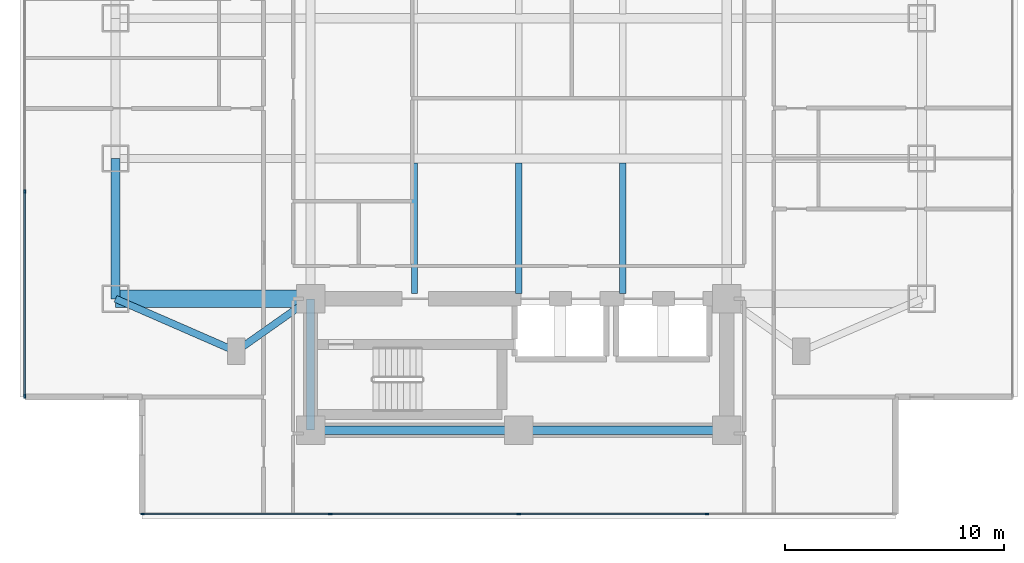
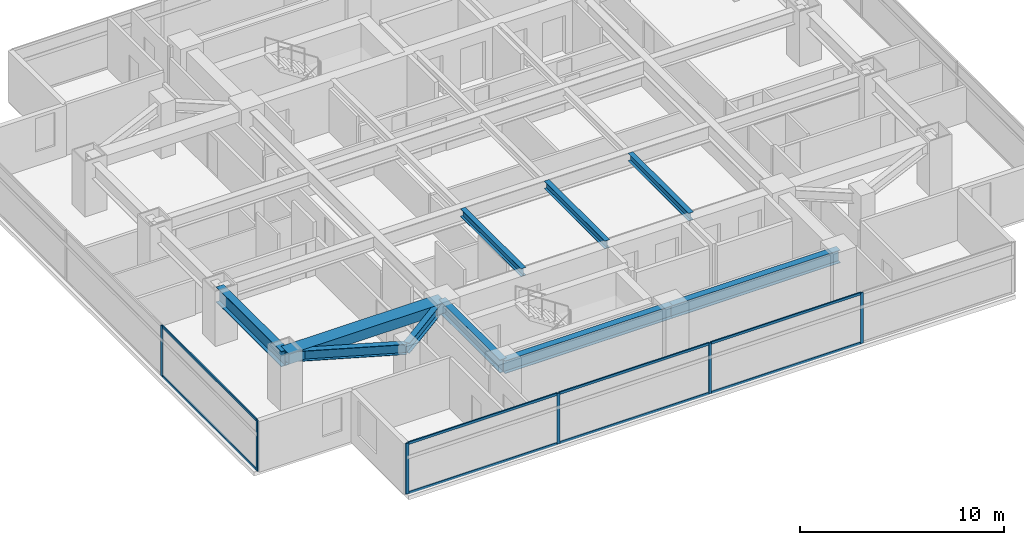
# One storey, part 2 of 27: 14 members, 10 beams, 2 elements without a shape of their own.
"""IFC4 building model written with IfcOpenShell, lengths in metres."""

from ifc_helpers import new_model, si_unit, direction, frame, origin, origin_2d, place, context, subcontext, project, spatial, rectangle, i_section, extrude, material, material_profile, profile_set, type_object, element, aggregate, save


model = new_model("IFC4")

# Units and contexts
model_context = context("Model", 3, precision=1e-05, world=origin(), true_north=direction((0.0, 1.0)))
body_context = subcontext(model_context, "Body", "Model", "MODEL_VIEW")
ifc_project = project(units=[si_unit("LENGTHUNIT", "METRE"), si_unit("AREAUNIT", "SQUARE_METRE"), si_unit("VOLUMEUNIT", "CUBIC_METRE"), si_unit("PLANEANGLEUNIT", "RADIAN"), si_unit("MASSUNIT", "GRAM", prefix="KILO")], contexts=[model_context])

# Site, building, storey
site_placement = place(None, origin())
site = spatial("IfcSite", under=ifc_project, at=site_placement, CompositionType="ELEMENT")
building_placement = place(site_placement, origin())
building = spatial("IfcBuilding", under=site, at=building_placement, Name="Mirazonda Arch Towers", CompositionType="ELEMENT")
storey_placement = place(building_placement, frame((0.0, 0.0, 75.199951171875)))
storey = spatial("IfcBuildingStorey", under=building, at=storey_placement, Name="L21", CompositionType="ELEMENT", Elevation=75.199951171875)

# Beams
ifc_material_1 = material(Name="Steel ASTM A992 Grade 50", Category="steel")
ifc_material_profile_1 = material_profile(ifc_material_1, i_section(OverallWidth=0.41796875, OverallDepth=0.927001953125, WebThickness=0.019287109375, FlangeThickness=0.031982421875, at=origin_2d()), Name="W36X231")
ifc_profile_set_1 = profile_set([ifc_material_profile_1], Name="Steel ASTM A992 Grade 50")
beam_type_1 = type_object("IfcBeamType", Name="BM-EXT-W36X231", PredefinedType="USERDEFINED", material=ifc_profile_set_1)
beam_1_placement = place(storey_placement, frame((2.10009765625, 18.39990234375, 2.596435546875), z_axis=(0.0, 1.0, 0.0), x_axis=(-1.0, 0.0, 0.0)))
element("IfcBeam", 1, at=beam_1_placement, inside=storey, type_object=beam_type_1, Name="L21 Floor Beam BM-T1-L21-NS-W-18", ObjectType="GIRDER", PredefinedType="USERDEFINED", context=body_context, shape_type="SweptSolid", body=[
    extrude(i_section(OverallWidth=0.41796875, OverallDepth=0.927001953125, WebThickness=0.019287109375, FlangeThickness=0.031982421875, at=origin_2d()), origin(), (0.0, 0.0, 1.0), 6.400146484375),
])
ifc_material_profile_2 = material_profile(ifc_material_1, i_section(OverallWidth=0.280029296875, OverallDepth=0.462890625, WebThickness=0.0107421875, FlangeThickness=0.017333984375, at=origin_2d()), Name="W18X76")
ifc_profile_set_2 = profile_set([ifc_material_profile_2], Name="Steel ASTM A992 Grade 50")
beam_type_2 = type_object("IfcBeamType", Name="BM-INT-W18X76", PredefinedType="JOIST", material=ifc_profile_set_2)
for number, where, z_axis, x_axis, name in (
    (2, (15.75, 18.639892578125, 2.82861328125), (0.0, 1.0, 0.0), (-1.0, 0.0, 0.0), "L21 Floor Beam BM-T1-L21-J-157-18"),
    (3, (20.5, 18.639892578125, 2.82861328125), (0.0, 1.0, 0.0), (-1.0, 0.0, 0.0), "L21 Floor Beam BM-T1-L21-J-205-18"),
    (4, (25.25, 18.639892578125, 2.82861328125), (0.0, 1.0, 0.0), (-1.0, 0.0, 0.0), "L21 Floor Beam BM-T1-L21-J-252-18"),
):
    element("IfcBeam", number, at=place(storey_placement, frame(where, z_axis=z_axis, x_axis=x_axis)), inside=storey, type_object=beam_type_2, Name=name, PredefinedType="JOIST", context=body_context, shape_type="SweptSolid", body=[
        extrude(i_section(OverallWidth=0.280029296875, OverallDepth=0.462890625, WebThickness=0.0107421875, FlangeThickness=0.017333984375, at=origin_2d()), origin(), (0.0, 0.0, 1.0), 5.95263671875),
    ])
ifc_material_profile_3 = material_profile(ifc_material_1, i_section(OverallWidth=0.324951171875, OverallDepth=0.615966796875, WebThickness=0.013916015625, FlangeThickness=0.021484375, at=origin_2d()), Name="W24X117")
ifc_profile_set_3 = profile_set([ifc_material_profile_3], Name="Steel ASTM A992 Grade 50")
beam_type_3 = type_object("IfcBeamType", Name="BM-INT-W24X117", PredefinedType="BEAM", material=ifc_profile_set_3)
beam_2_placement = place(storey_placement, frame((7.60009765625, 16.0, 2.751953125), z_axis=(0.816971114901, 0.576678591087, 0.0), x_axis=(-0.576678591087, 0.816971114901, 0.0)))
element("IfcBeam", 5, at=beam_2_placement, inside=storey, type_object=beam_type_3, Name="L21 Floor Beam BM-T1-L21-PL-SW1", PredefinedType="BEAM", context=body_context, shape_type="SweptSolid", body=[
    extrude(i_section(OverallWidth=0.324951171875, OverallDepth=0.615966796875, WebThickness=0.013916015625, FlangeThickness=0.021484375, at=origin_2d()), origin(), (0.0, 0.0, 1.0), 4.16162109375),
])
beam_3_placement = place(storey_placement, frame((7.60009765625, 16.0, 2.751953125), z_axis=(-0.916545343703, 0.399930785183, 0.0), x_axis=(-0.399930785183, -0.916545343703, 0.0)))
element("IfcBeam", 6, at=beam_3_placement, inside=storey, type_object=beam_type_3, Name="L21 Floor Beam BM-T1-L21-PL-SW2", PredefinedType="BEAM", context=body_context, shape_type="SweptSolid", body=[
    extrude(i_section(OverallWidth=0.324951171875, OverallDepth=0.615966796875, WebThickness=0.013916015625, FlangeThickness=0.021484375, at=origin_2d()), origin(), (0.0, 0.0, 1.0), 6.000732421875),
])
ifc_material_profile_4 = material_profile(ifc_material_1, i_section(OverallWidth=0.381103515625, OverallDepth=0.77294921875, WebThickness=0.0166015625, FlangeThickness=0.027099609375, at=origin_2d()), Name="W30X173")
ifc_profile_set_4 = profile_set([ifc_material_profile_4], Name="Steel ASTM A992 Grade 50")
beam_type_4 = type_object("IfcBeamType", Name="BM-INT-W30X173", PredefinedType="USERDEFINED", material=ifc_profile_set_4)
for number, where, z_axis, x_axis, name in (
    (7, (11.0, 12.39990234375, 2.673583984375), (1.0, 0.0, 0.0), (0.0, 1.0, 0.0), "L21 Floor Beam BM-T1-L21-CS1"),
    (8, (20.5, 12.39990234375, 2.673583984375), (1.0, 0.0, 0.0), (0.0, 1.0, 0.0), "L21 Floor Beam BM-T1-L21-CS2"),
):
    element("IfcBeam", number, at=place(storey_placement, frame(where, z_axis=z_axis, x_axis=x_axis)), inside=storey, type_object=beam_type_4, Name=name, ObjectType="GIRDER", PredefinedType="USERDEFINED", context=body_context, shape_type="SweptSolid", body=[
        extrude(i_section(OverallWidth=0.381103515625, OverallDepth=0.77294921875, WebThickness=0.0166015625, FlangeThickness=0.027099609375, at=origin_2d()), origin(), (0.0, 0.0, 1.0), 9.5),
    ])
beam_4_placement = place(storey_placement, frame((11.0, 12.39990234375, 2.673583984375), z_axis=(0.0, 1.0, 0.0), x_axis=(-1.0, 0.0, 0.0)))
element("IfcBeam", 9, at=beam_4_placement, inside=storey, type_object=beam_type_4, Name="L21 Floor Beam BM-T1-L21-CSW", ObjectType="GIRDER", PredefinedType="USERDEFINED", context=body_context, shape_type="SweptSolid", body=[
    extrude(i_section(OverallWidth=0.381103515625, OverallDepth=0.77294921875, WebThickness=0.0166015625, FlangeThickness=0.027099609375, at=origin_2d()), origin(), (0.0, 0.0, 1.0), 6.0),
])
ifc_material_2 = material(Name="Concrete C60/75", Category="concrete")
ifc_material_profile_5 = material_profile(ifc_material_2, rectangle(XDim=0.800048828125, YDim=0.60009765625, at=origin_2d()), Name="RCCB800x600")
ifc_profile_set_5 = profile_set([ifc_material_profile_5], Name="Concrete C60/75")
beam_type_5 = type_object("IfcBeamType", Name="CB-INT-RCCB800x600", PredefinedType="SPANDREL", material=ifc_profile_set_5)
beam_5_placement = place(storey_placement, frame((2.10009765625, 18.39990234375, 2.760009765625), z_axis=(1.0, 0.0, 0.0), x_axis=(0.0, 1.0, 0.0)))
element("IfcBeam", 10, at=beam_5_placement, inside=storey, type_object=beam_type_5, Name="L21 Floor Beam CBC-T1-L21-SW", PredefinedType="SPANDREL", context=body_context, shape_type="SweptSolid", body=[
    extrude(rectangle(XDim=0.800048828125, YDim=0.60009765625, at=origin_2d()), origin(), (0.0, 0.0, 1.0), 8.89990234375),
])

# Curtain wall, members
ifc_material_3 = material(Name="Anodised Aluminium and Low-E Glass", Category="aluminium")
curtain_wall_type = type_object("IfcCurtainWallType", Name="CW-HTL-UNIT", PredefinedType="NOTDEFINED", material=ifc_material_3)
curtain_wall_1_placement = place(storey_placement, origin())
curtain_wall_1 = element("IfcCurtainWall", 11, at=curtain_wall_1_placement, inside=storey, type_object=curtain_wall_type, Name="L21 T1 S Facade CW-L21-T1-S", PredefinedType="NOTDEFINED")
ifc_material_4 = material(Name="Anodised Aluminium Alloy", Category="aluminium")
ifc_material_profile_6 = material_profile(ifc_material_4, rectangle(XDim=0.074951171875, YDim=0.1650390625, at=origin_2d()), Name="ALU-MULL-75x165")
ifc_profile_set_6 = profile_set([ifc_material_profile_6], Name="Anodised Aluminium Alloy")
member_type_1 = type_object("IfcMemberType", Name="MULL-CW-HTL-UNIT", PredefinedType="MULLION", material=ifc_profile_set_6)
member_1_placement = place(storey_placement, frame((29.10009765625, 8.573974609375, 0.0), z_axis=(0.0, 0.0, 1.0), x_axis=(0.0, -1.0, 0.0)))
member_1 = element("IfcMember", 12, at=member_1_placement, type_object=member_type_1, Name="CW-112 mullion 2", PredefinedType="MULLION", context=body_context, shape_type="SweptSolid", body=[
    extrude(rectangle(XDim=0.074951171875, YDim=0.1650390625, at=origin_2d()), origin(), (0.0, 0.0, 1.0), 3.0400390625),
])
member_2_placement = place(storey_placement, frame((20.5, 8.573974609375, 0.0), z_axis=(0.0, 0.0, 1.0), x_axis=(0.0, -1.0, 0.0)))
member_2 = element("IfcMember", 13, at=member_2_placement, type_object=member_type_1, Name="CW-112 mullion 3", PredefinedType="MULLION", context=body_context, shape_type="SweptSolid", body=[
    extrude(rectangle(XDim=0.074951171875, YDim=0.1650390625, at=origin_2d()), origin(), (0.0, 0.0, 1.0), 3.0400390625),
])
member_3_placement = place(storey_placement, frame((11.89990234375, 8.573974609375, 0.0), z_axis=(0.0, 0.0, 1.0), x_axis=(0.0, -1.0, 0.0)))
member_3 = element("IfcMember", 14, at=member_3_placement, type_object=member_type_1, Name="CW-112 mullion 4", PredefinedType="MULLION", context=body_context, shape_type="SweptSolid", body=[
    extrude(rectangle(XDim=0.074951171875, YDim=0.1650390625, at=origin_2d()), origin(), (0.0, 0.0, 1.0), 3.0400390625),
])
member_4_placement = place(storey_placement, frame((3.33740234375, 8.573974609375, 0.0), z_axis=(0.0, 0.0, 1.0), x_axis=(0.0, -1.0, 0.0)))
member_4 = element("IfcMember", 15, at=member_4_placement, type_object=member_type_1, Name="CW-112 mullion 5", PredefinedType="MULLION", context=body_context, shape_type="SweptSolid", body=[
    extrude(rectangle(XDim=0.074951171875, YDim=0.1650390625, at=origin_2d()), origin(), (0.0, 0.0, 1.0), 3.0400390625),
])

curtain_wall_2_placement = place(storey_placement, origin())
curtain_wall_2 = element("IfcCurtainWall", 16, at=curtain_wall_2_placement, inside=storey, type_object=curtain_wall_type, Name="L21 T1 W Facade CW-L21-T1-W", PredefinedType="NOTDEFINED")
member_5_placement = place(storey_placement, frame((-2.0400390625, 23.3046875, 0.0), z_axis=(0.0, 0.0, 1.0), x_axis=(1.0, 0.0, 0.0)))
member_5 = element("IfcMember", 17, at=member_5_placement, type_object=member_type_1, Name="CW-112 mullion 3", PredefinedType="MULLION", context=body_context, shape_type="SweptSolid", body=[
    extrude(rectangle(XDim=0.074951171875, YDim=0.1650390625, at=origin_2d()), origin(), (0.0, 0.0, 1.0), 3.0400390625),
])
member_6_placement = place(storey_placement, frame((-2.0400390625, 13.951416015625, 0.0), z_axis=(0.0, 0.0, 1.0), x_axis=(1.0, 0.0, 0.0)))
member_6 = element("IfcMember", 18, at=member_6_placement, type_object=member_type_1, Name="CW-112 mullion 4", PredefinedType="MULLION", context=body_context, shape_type="SweptSolid", body=[
    extrude(rectangle(XDim=0.074951171875, YDim=0.1650390625, at=origin_2d()), origin(), (0.0, 0.0, 1.0), 3.0400390625),
])

# Member
ifc_material_profile_7 = material_profile(ifc_material_4, rectangle(XDim=0.074951171875, YDim=0.14501953125, at=origin_2d()), Name="ALU-TRAN-75x145")
ifc_profile_set_7 = profile_set([ifc_material_profile_7], Name="Anodised Aluminium Alloy")
member_type_2 = type_object("IfcMemberType", Name="TRAN-CW-HTL-UNIT", PredefinedType="USERDEFINED", material=ifc_profile_set_7)
member_7_placement = place(storey_placement, frame((29.0625, 8.573974609375, 0.03759765625), z_axis=(-1.0, 0.0, 0.0), x_axis=(0.0, -1.0, 0.0)))
member_7 = element("IfcMember", 19, at=member_7_placement, type_object=member_type_2, Name="CW-112 transom 2.1", ObjectType="TRANSOM", PredefinedType="USERDEFINED", context=body_context, shape_type="SweptSolid", body=[
    extrude(rectangle(XDim=0.074951171875, YDim=0.14501953125, at=origin_2d()), origin(), (0.0, 0.0, 1.0), 8.52490234375),
])

member_8_placement = place(storey_placement, frame((29.0625, 8.573974609375, 3.00244140625), z_axis=(-1.0, 0.0, 0.0), x_axis=(0.0, -1.0, 0.0)))
member_8 = element("IfcMember", 20, at=member_8_placement, type_object=member_type_2, Name="CW-112 transom 2.2", ObjectType="TRANSOM", PredefinedType="USERDEFINED", context=body_context, shape_type="SweptSolid", body=[
    extrude(rectangle(XDim=0.074951171875, YDim=0.14501953125, at=origin_2d()), origin(), (0.0, 0.0, 1.0), 8.52490234375),
])

member_9_placement = place(storey_placement, frame((20.46240234375, 8.573974609375, 0.03759765625), z_axis=(-1.0, 0.0, 0.0), x_axis=(0.0, -1.0, 0.0)))
member_9 = element("IfcMember", 21, at=member_9_placement, type_object=member_type_2, Name="CW-112 transom 3.1", ObjectType="TRANSOM", PredefinedType="USERDEFINED", context=body_context, shape_type="SweptSolid", body=[
    extrude(rectangle(XDim=0.074951171875, YDim=0.14501953125, at=origin_2d()), origin(), (0.0, 0.0, 1.0), 8.52490234375),
])

member_10_placement = place(storey_placement, frame((20.46240234375, 8.573974609375, 3.00244140625), z_axis=(-1.0, 0.0, 0.0), x_axis=(0.0, -1.0, 0.0)))
member_10 = element("IfcMember", 22, at=member_10_placement, type_object=member_type_2, Name="CW-112 transom 3.2", ObjectType="TRANSOM", PredefinedType="USERDEFINED", context=body_context, shape_type="SweptSolid", body=[
    extrude(rectangle(XDim=0.074951171875, YDim=0.14501953125, at=origin_2d()), origin(), (0.0, 0.0, 1.0), 8.52490234375),
])

member_11_placement = place(storey_placement, frame((11.862548828125, 8.573974609375, 0.03759765625), z_axis=(-1.0, 0.0, 0.0), x_axis=(0.0, -1.0, 0.0)))
member_11 = element("IfcMember", 23, at=member_11_placement, type_object=member_type_2, Name="CW-112 transom 4.1", ObjectType="TRANSOM", PredefinedType="USERDEFINED", context=body_context, shape_type="SweptSolid", body=[
    extrude(rectangle(XDim=0.074951171875, YDim=0.14501953125, at=origin_2d()), origin(), (0.0, 0.0, 1.0), 8.487548828125),
])

member_12_placement = place(storey_placement, frame((11.862548828125, 8.573974609375, 3.00244140625), z_axis=(-1.0, 0.0, 0.0), x_axis=(0.0, -1.0, 0.0)))
member_12 = element("IfcMember", 24, at=member_12_placement, type_object=member_type_2, Name="CW-112 transom 4.2", ObjectType="TRANSOM", PredefinedType="USERDEFINED", context=body_context, shape_type="SweptSolid", body=[
    extrude(rectangle(XDim=0.074951171875, YDim=0.14501953125, at=origin_2d()), origin(), (0.0, 0.0, 1.0), 8.487548828125),
])

aggregate(curtain_wall_1, [member_1, member_2, member_3, member_4, member_7, member_8, member_9, member_10, member_11, member_12])

member_13_placement = place(storey_placement, frame((-2.0400390625, 23.26708984375, 0.03759765625), z_axis=(0.0, -1.0, 0.0), x_axis=(1.0, 0.0, 0.0)))
member_13 = element("IfcMember", 25, at=member_13_placement, type_object=member_type_2, Name="CW-112 transom 3.1", ObjectType="TRANSOM", PredefinedType="USERDEFINED", context=body_context, shape_type="SweptSolid", body=[
    extrude(rectangle(XDim=0.074951171875, YDim=0.14501953125, at=origin_2d()), origin(), (0.0, 0.0, 1.0), 9.278076171875),
])

member_14_placement = place(storey_placement, frame((-2.0400390625, 23.26708984375, 3.00244140625), z_axis=(0.0, -1.0, 0.0), x_axis=(1.0, 0.0, 0.0)))
member_14 = element("IfcMember", 26, at=member_14_placement, type_object=member_type_2, Name="CW-112 transom 3.2", ObjectType="TRANSOM", PredefinedType="USERDEFINED", context=body_context, shape_type="SweptSolid", body=[
    extrude(rectangle(XDim=0.074951171875, YDim=0.14501953125, at=origin_2d()), origin(), (0.0, 0.0, 1.0), 9.278076171875),
])

aggregate(curtain_wall_2, [member_5, member_6, member_13, member_14])

save(model, "model.ifc")
